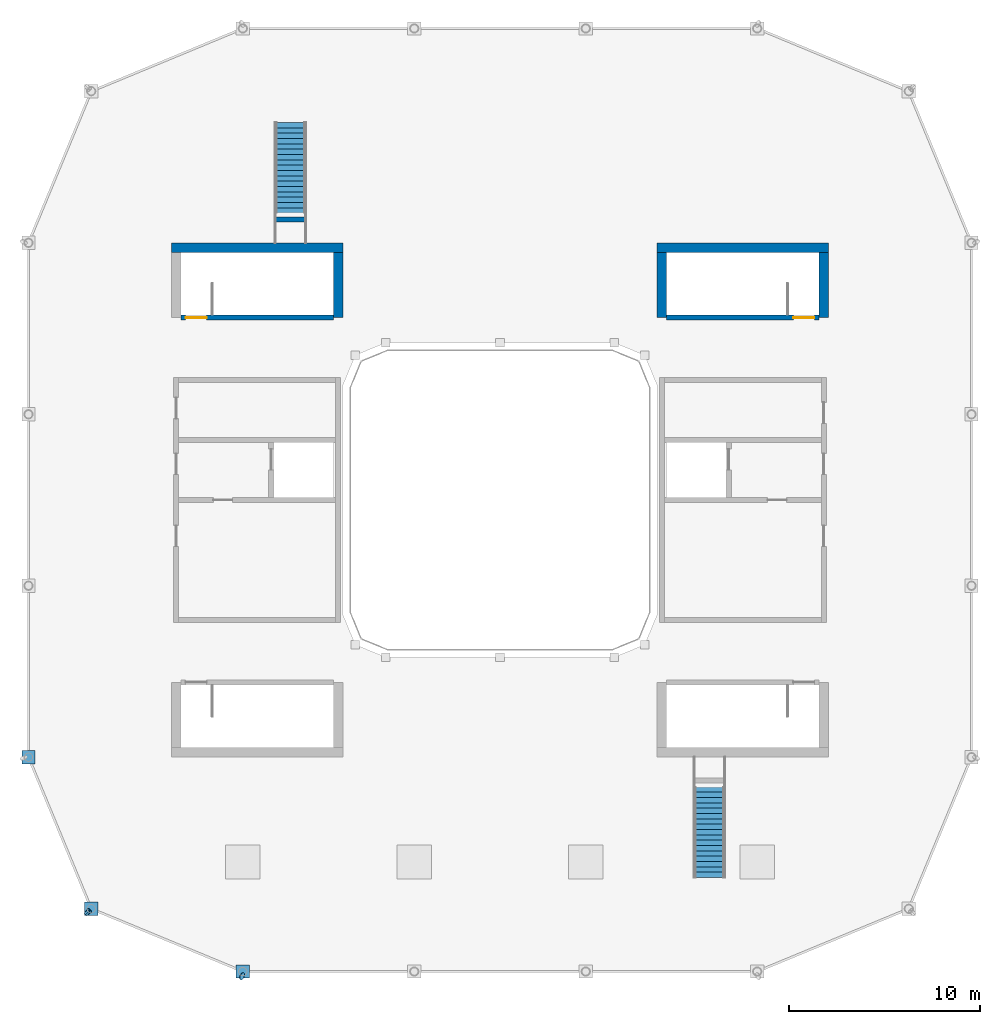
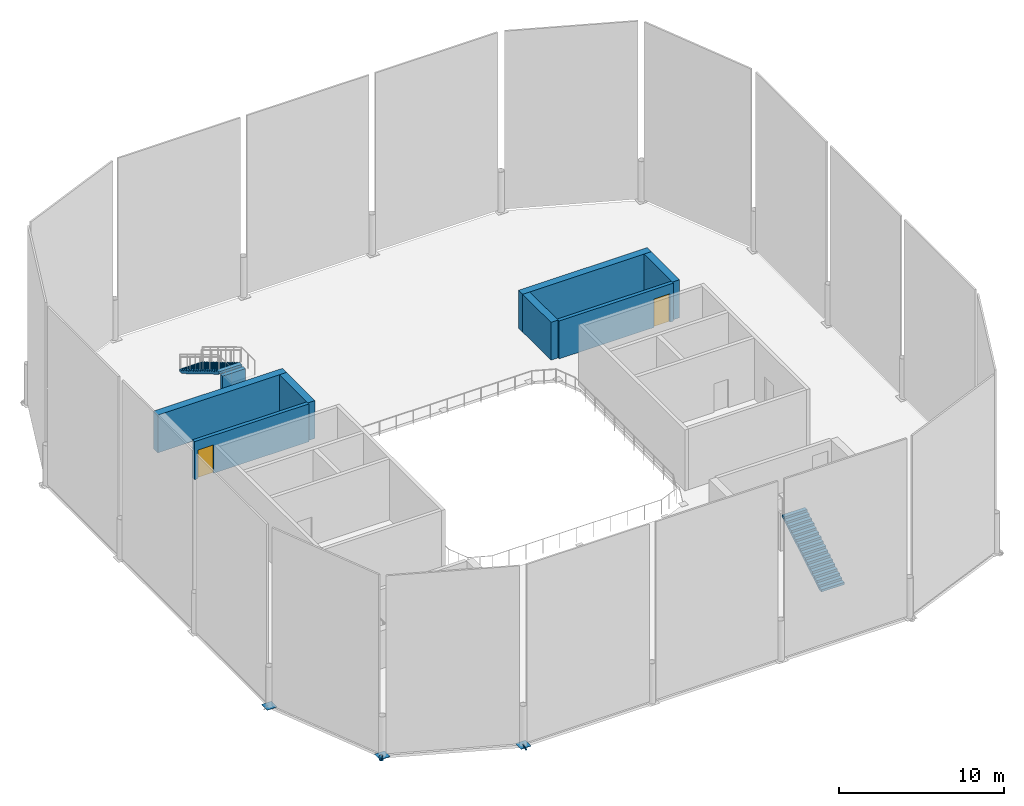
# One storey, part 4 of 8: 8 walls, 6 discrete accessories, 2 doors, 2 stair flights, 2 openings, 2 elements without a shape of their own.
"""IFC4 building model written with IfcOpenShell, lengths in metres."""

from ifc_helpers import new_model, si_unit, direction, frame, frame_2d, origin, origin_2d, place, context, subcontext, project, spatial, polyline, rectangle, circle, outline, extrude, material, layer, layer_set, type_object, element, fill, aggregate, save


model = new_model("IFC4")

# Units and contexts
model_context = context("Model", 3, precision=1e-05, world=origin(), true_north=direction((0.0, 1.0)))
body_context = subcontext(model_context, "Body", "Model", "MODEL_VIEW")
ifc_project = project(units=[si_unit("LENGTHUNIT", "METRE"), si_unit("AREAUNIT", "SQUARE_METRE"), si_unit("VOLUMEUNIT", "CUBIC_METRE"), si_unit("PLANEANGLEUNIT", "RADIAN"), si_unit("MASSUNIT", "GRAM", prefix="KILO")], contexts=[model_context])

# Site, building, storey
site_placement = place(None, origin())
site = spatial("IfcSite", under=ifc_project, at=site_placement, CompositionType="ELEMENT")
building_placement = place(site_placement, origin())
building = spatial("IfcBuilding", under=site, at=building_placement, Name="Siwar Civic Tower", CompositionType="ELEMENT")
storey_placement = place(building_placement, frame((0.0, 0.0, 358.199951171875)))
storey = spatial("IfcBuildingStorey", under=building, at=storey_placement, Name="ROOF", CompositionType="ELEMENT", Elevation=358.199951171875)

# Wall, opening, door
ifc_material_1 = material(Name="Concrete C60/75", Category="concrete")
ifc_layer_1 = layer(ifc_material_1, 0.25)
ifc_layer_set_1 = layer_set([ifc_layer_1], Name="Concrete C60/75")
wall_type_1 = type_object("IfcWallType", Name="CORE-WALL-RC250-EXT", PredefinedType="SHEAR", material=ifc_layer_set_1)
wall_1_placement = place(storey_placement, frame((-8.75, 9.574951171875, 0.0), z_axis=(0.0, 0.0, 1.0), x_axis=(-1.0, 0.0, 0.0)))
wall_1 = element("IfcWall", 1, at=wall_1_placement, inside=storey, type_object=wall_type_1, Name="Stair head-house wall ST1", PredefinedType="SHEAR", context=body_context, shape_type="SweptSolid", body=[
    extrude(rectangle(XDim=8.0, YDim=0.25, at=frame_2d((4.0, 0.0))), origin(), (0.0, 0.0, 1.0), 2.800048828125),
])
opening_1_placement = place(wall_1_placement, frame((6.64990234375, 0.0, 0.0)))
opening_1 = element("IfcOpeningElement", 2, at=opening_1_placement, cuts=wall_1, Name="Opening L76-HST1", PredefinedType="OPENING", context=body_context, shape_type="SweptSolid", body=[
    extrude(rectangle(XDim=1.10009765625, YDim=2.10009765625, at=frame_2d((0.550048828125, 1.050048828125))), frame((0.0, 0.135009765625, 0.0), z_axis=(0.0, -1.0, 0.0), x_axis=(1.0, 0.0, 0.0)), (0.0, 0.0, 1.0), 0.27001953125),
])
ifc_material_2 = material(Name="Steel door leaf", Category="steel")
door_type = type_object("IfcDoorType", Name="CORE-DOOR-FD60S-EXT", OperationType="SINGLE_SWING_LEFT", PredefinedType="DOOR", material=ifc_material_2)
door_1_placement = place(opening_1_placement, origin())
door_1 = element("IfcDoor", 3, at=door_1_placement, inside=storey, type_object=door_type, Name="Roof stair door ST1", OperationType="SINGLE_SWING_RIGHT", OverallHeight=2.10009765625, OverallWidth=1.10009765625, PredefinedType="DOOR", context=body_context, shape_type="SweptSolid", body=[
    extrude(rectangle(XDim=1.10009765625, YDim=2.10009765625, at=frame_2d((0.550048828125, 1.050048828125))), frame((0.0, 0.02490234375, 0.0), z_axis=(0.0, -1.0, 0.0), x_axis=(1.0, 0.0, 0.0)), (0.0, 0.0, 1.0), 0.050048828125),
])
fill(opening_1, door_1)

wall_2_placement = place(storey_placement, frame((8.75, 9.574951171875, 0.0), z_axis=(0.0, 0.0, 1.0), x_axis=(1.0, 0.0, 0.0)))
wall_2 = element("IfcWall", 4, at=wall_2_placement, inside=storey, type_object=wall_type_1, Name="Stair head-house wall ST3", PredefinedType="SHEAR", context=body_context, shape_type="SweptSolid", body=[
    extrude(rectangle(XDim=8.0, YDim=0.25, at=frame_2d((4.0, 0.0))), origin(), (0.0, 0.0, 1.0), 2.800048828125),
])
opening_2_placement = place(wall_2_placement, frame((6.64990234375, 0.0, 0.0)))
opening_2 = element("IfcOpeningElement", 5, at=opening_2_placement, cuts=wall_2, Name="Opening L76-HST3", PredefinedType="OPENING", context=body_context, shape_type="SweptSolid", body=[
    extrude(rectangle(XDim=1.10009765625, YDim=2.10009765625, at=frame_2d((0.550048828125, 1.050048828125))), frame((0.0, 0.135009765625, 0.0), z_axis=(0.0, -1.0, 0.0), x_axis=(1.0, 0.0, 0.0)), (0.0, 0.0, 1.0), 0.27001953125),
])
door_2_placement = place(opening_2_placement, origin())
door_2 = element("IfcDoor", 6, at=door_2_placement, inside=storey, type_object=door_type, Name="Roof stair door ST3", OperationType="SINGLE_SWING_LEFT", OverallHeight=2.10009765625, OverallWidth=1.10009765625, PredefinedType="DOOR", context=body_context, shape_type="SweptSolid", body=[
    extrude(rectangle(XDim=1.10009765625, YDim=2.10009765625, at=frame_2d((0.550048828125, 1.050048828125))), frame((0.0, 0.02490234375, 0.0), z_axis=(0.0, -1.0, 0.0), x_axis=(1.0, 0.0, 0.0)), (0.0, 0.0, 1.0), 0.050048828125),
])
fill(opening_2, door_2)

# Walls
wall_3_placement = place(storey_placement, frame((-10.199951171875, 14.72509765625, 0.0), z_axis=(0.0, 0.0, 1.0), x_axis=(-1.0, 0.0, 0.0)))
element("IfcWall", 7, at=wall_3_placement, inside=storey, type_object=wall_type_1, Name="Stair landing support wall RS1", PredefinedType="SHEAR", context=body_context, shape_type="SweptSolid", body=[
    extrude(rectangle(XDim=1.60009765625, YDim=0.25, at=frame_2d((0.800048828125, 0.0))), origin(), (0.0, 0.0, 1.0), 2.800048828125),
])
ifc_material_3 = material(Name="Concrete C60/75", Category="concrete")
ifc_layer_2 = layer(ifc_material_3, 0.5)
ifc_layer_set_2 = layer_set([ifc_layer_2], Name="Concrete C60/75")
wall_type_2 = type_object("IfcWallType", Name="CORE-WALL-RC500-EXT", PredefinedType="SHEAR", material=ifc_layer_set_2)
wall_4_placement = place(storey_placement, frame((-8.5, 9.574951171875, 0.0), z_axis=(0.0, 0.0, 1.0), x_axis=(0.0, 1.0, 0.0)))
element("IfcWall", 8, at=wall_4_placement, inside=storey, type_object=wall_type_2, Name="Stair head-house wall ST1", PredefinedType="SHEAR", context=body_context, shape_type="SweptSolid", body=[
    extrude(rectangle(XDim=3.425048828125, YDim=0.5, at=frame_2d((1.71240234375, 0.0))), origin(), (0.0, 0.0, 1.0), 2.800048828125),
])
wall_5_placement = place(storey_placement, frame((-8.25, 13.25, 0.0), z_axis=(0.0, 0.0, 1.0), x_axis=(-1.0, 0.0, 0.0)))
element("IfcWall", 9, at=wall_5_placement, inside=storey, type_object=wall_type_2, Name="Stair head-house wall ST1", PredefinedType="SHEAR", context=body_context, shape_type="SweptSolid", body=[
    extrude(rectangle(XDim=9.0, YDim=0.5, at=frame_2d((4.5, 0.0))), origin(), (0.0, 0.0, 1.0), 2.800048828125),
])
wall_6_placement = place(storey_placement, frame((8.5, 9.574951171875, 0.0), z_axis=(0.0, 0.0, 1.0), x_axis=(0.0, 1.0, 0.0)))
element("IfcWall", 10, at=wall_6_placement, inside=storey, type_object=wall_type_2, Name="Stair head-house wall ST3", PredefinedType="SHEAR", context=body_context, shape_type="SweptSolid", body=[
    extrude(rectangle(XDim=3.425048828125, YDim=0.5, at=frame_2d((1.71240234375, 0.0))), origin(), (0.0, 0.0, 1.0), 2.800048828125),
])
wall_7_placement = place(storey_placement, frame((8.25, 13.25, 0.0), z_axis=(0.0, 0.0, 1.0), x_axis=(1.0, 0.0, 0.0)))
element("IfcWall", 11, at=wall_7_placement, inside=storey, type_object=wall_type_2, Name="Stair head-house wall ST3", PredefinedType="SHEAR", context=body_context, shape_type="SweptSolid", body=[
    extrude(rectangle(XDim=9.0, YDim=0.5, at=frame_2d((4.5, 0.0))), origin(), (0.0, 0.0, 1.0), 2.800048828125),
])
wall_8_placement = place(storey_placement, frame((17.0, 9.574951171875, 0.0), z_axis=(0.0, 0.0, 1.0), x_axis=(0.0, 1.0, 0.0)))
element("IfcWall", 12, at=wall_8_placement, inside=storey, type_object=wall_type_2, Name="Stair head-house wall ST3", PredefinedType="SHEAR", context=body_context, shape_type="SweptSolid", body=[
    extrude(rectangle(XDim=3.425048828125, YDim=0.5, at=frame_2d((1.71240234375, 0.0))), origin(), (0.0, 0.0, 1.0), 2.800048828125),
])

# Stair, stair flight
ifc_material_4 = material(Name="Concrete C40/50", Category="concrete")
stair_type = type_object("IfcStairType", Name="CORE-ROOF-STAIR", PredefinedType="STRAIGHT_RUN_STAIR", material=ifc_material_4)
stair_1_placement = place(storey_placement, origin())
stair_1 = element("IfcStair", 13, at=stair_1_placement, inside=storey, type_object=stair_type, Name="Stair RS1", PredefinedType="STRAIGHT_RUN_STAIR")
ifc_material_5 = material(Name="Concrete C40/50", Category="concrete")
stair_flight_type = type_object("IfcStairFlightType", Name="CORE-ROOF-STAIR-FLIGHT", PredefinedType="STRAIGHT", material=ifc_material_5)
stair_flight_1_placement = place(storey_placement, frame((-11.0, 19.81005859375, 0.0), z_axis=(0.0, 0.0, 1.0), x_axis=(0.0, -1.0, 0.0)))
stair_flight_1 = element("IfcStairFlight", 14, at=stair_flight_1_placement, type_object=stair_flight_type, Name="RS1 flight 1", NumberOfRisers=18, NumberOfTreads=17, PredefinedType="STRAIGHT", RiserHeight=0.166666667, TreadLength=0.28, context=body_context, shape_type="SweptSolid", body=[
    extrude(outline(polyline([(0.0, 0.0), (0.0, 0.166748046875), (0.280029296875, 0.166748046875), (0.280029296875, 0.333251953125), (0.56005859375, 0.333251953125), (0.56005859375, 0.5), (0.840087890625, 0.5), (0.840087890625, 0.666748046875), (1.1201171875, 0.666748046875), (1.1201171875, 0.833251953125), (1.39990234375, 0.833251953125), (1.39990234375, 1.0), (1.679931640625, 1.0), (1.679931640625, 1.166748046875), (1.9599609375, 1.166748046875), (1.9599609375, 1.333251953125), (2.239990234375, 1.333251953125), (2.239990234375, 1.5), (2.52001953125, 1.5), (2.52001953125, 1.666748046875), (2.800048828125, 1.666748046875), (2.800048828125, 1.833251953125), (3.080078125, 1.833251953125), (3.080078125, 2.0), (3.360107421875, 2.0), (3.360107421875, 2.166748046875), (3.639892578125, 2.166748046875), (3.639892578125, 2.333251953125), (3.919921875, 2.333251953125), (3.919921875, 2.5), (4.199951171875, 2.5), (4.199951171875, 2.666748046875), (4.47998046875, 2.666748046875), (4.47998046875, 2.833251953125), (4.760009765625, 2.833251953125), (4.760009765625, 3.0), (4.760009765625, 2.658935546875), (0.29296875, 0.0), (0.0, 0.0)])), frame((0.0, 0.800048828125, 0.0), z_axis=(0.0, -1.0, 0.0), x_axis=(1.0, 0.0, 0.0)), (0.0, 0.0, 1.0), 1.60009765625),
])
aggregate(stair_1, [stair_flight_1])

stair_2_placement = place(storey_placement, origin())
stair_2 = element("IfcStair", 15, at=stair_2_placement, inside=storey, type_object=stair_type, Name="Stair RS2", PredefinedType="STRAIGHT_RUN_STAIR")
stair_flight_2_placement = place(storey_placement, frame((11.0, -19.81005859375, 0.0), z_axis=(0.0, 0.0, 1.0), x_axis=(0.0, 1.0, 0.0)))
stair_flight_2 = element("IfcStairFlight", 16, at=stair_flight_2_placement, type_object=stair_flight_type, Name="RS2 flight 1", NumberOfRisers=18, NumberOfTreads=17, PredefinedType="STRAIGHT", RiserHeight=0.166666667, TreadLength=0.28, context=body_context, shape_type="SweptSolid", body=[
    extrude(outline(polyline([(0.0, 0.0), (0.0, 0.166748046875), (0.280029296875, 0.166748046875), (0.280029296875, 0.333251953125), (0.56005859375, 0.333251953125), (0.56005859375, 0.5), (0.840087890625, 0.5), (0.840087890625, 0.666748046875), (1.1201171875, 0.666748046875), (1.1201171875, 0.833251953125), (1.39990234375, 0.833251953125), (1.39990234375, 1.0), (1.679931640625, 1.0), (1.679931640625, 1.166748046875), (1.9599609375, 1.166748046875), (1.9599609375, 1.333251953125), (2.239990234375, 1.333251953125), (2.239990234375, 1.5), (2.52001953125, 1.5), (2.52001953125, 1.666748046875), (2.800048828125, 1.666748046875), (2.800048828125, 1.833251953125), (3.080078125, 1.833251953125), (3.080078125, 2.0), (3.360107421875, 2.0), (3.360107421875, 2.166748046875), (3.639892578125, 2.166748046875), (3.639892578125, 2.333251953125), (3.919921875, 2.333251953125), (3.919921875, 2.5), (4.199951171875, 2.5), (4.199951171875, 2.666748046875), (4.47998046875, 2.666748046875), (4.47998046875, 2.833251953125), (4.760009765625, 2.833251953125), (4.760009765625, 3.0), (4.760009765625, 2.658935546875), (0.29296875, 0.0), (0.0, 0.0)])), frame((0.0, 0.800048828125, 0.0), z_axis=(0.0, -1.0, 0.0), x_axis=(1.0, 0.0, 0.0)), (0.0, 0.0, 1.0), 1.60009765625),
])
aggregate(stair_2, [stair_flight_2])

# Discrete accessories
ifc_material_6 = material(Name="Steel S355", Category="steel")
ifc_layer_3 = layer(ifc_material_6, 0.02001953125)
ifc_layer_set_3 = layer_set([ifc_layer_3], Name="Steel S355")
discrete_accessory_type = type_object("IfcDiscreteAccessoryType", Name="STR-END-CAP", PredefinedType="USERDEFINED", material=ifc_layer_set_3)
for number, where, z_axis, x_axis, name in (
    (17, (-13.5, -24.75, 0.0), (0.0, 0.0, 1.0), (1.0, 0.0, 0.0), "End cap plate L76 col S-0"),
    (18, (-24.75, -13.5, 0.0), (0.0, 0.0, 1.0), (1.0, 0.0, 0.0), "End cap plate L76 col SW1-0"),
    (19, (-21.454833984375, -21.454833984375, 0.0), (0.0, 0.0, 1.0), (1.0, 0.0, 0.0), "End cap plate L76 col SW2-0"),
):
    element("IfcDiscreteAccessory", number, at=place(storey_placement, frame(where, z_axis=z_axis, x_axis=x_axis)), inside=storey, type_object=discrete_accessory_type, Name=name, ObjectType="END CAP PLATE", PredefinedType="USERDEFINED", context=body_context, shape_type="SweptSolid", body=[
        extrude(rectangle(XDim=0.699951171875, YDim=0.699951171875, at=origin_2d()), origin(), (0.0, 0.0, 1.0), 0.02001953125),
    ])
discrete_accessory_1_placement = place(storey_placement, frame((-21.6318359375, -21.6318359375, 0.0), z_axis=(-0.794694665491, 0.34233000975, 0.501268942848), x_axis=(-0.395623896042, -0.918412615811, 0.0)))
element("IfcDiscreteAccessory", 20, at=discrete_accessory_1_placement, inside=storey, type_object=discrete_accessory_type, Name="End cap plate L76 brc DSW1-15-0-1", ObjectType="END CAP PLATE", PredefinedType="USERDEFINED", context=body_context, shape_type="SweptSolid", body=[
    extrude(circle(Radius=0.203125, at=origin_2d()), origin(), (0.0, 0.0, 1.0), 0.02001953125),
])
discrete_accessory_2_placement = place(storey_placement, frame((-13.548828125, -24.9951171875, 0.0), z_axis=(0.799134556069, -0.339026781363, 0.49643207271), x_axis=(0.390549846856, 0.920581781875, 0.0)))
element("IfcDiscreteAccessory", 21, at=discrete_accessory_2_placement, inside=storey, type_object=discrete_accessory_type, Name="End cap plate L76 brc DSW1-15-0-3", ObjectType="END CAP PLATE", PredefinedType="USERDEFINED", context=body_context, shape_type="SweptSolid", body=[
    extrude(circle(Radius=0.203125, at=origin_2d()), origin(), (0.0, 0.0, 1.0), 0.020263671875),
])
discrete_accessory_3_placement = place(storey_placement, frame((-21.6318359375, -21.6318359375, 0.0), z_axis=(0.34233000975, -0.794694665491, 0.501268942848), x_axis=(0.918412615811, 0.395623896042, 0.0)))
element("IfcDiscreteAccessory", 22, at=discrete_accessory_3_placement, inside=storey, type_object=discrete_accessory_type, Name="End cap plate L76 brc DSW1-15-0-0", ObjectType="END CAP PLATE", PredefinedType="USERDEFINED", context=body_context, shape_type="SweptSolid", body=[
    extrude(circle(Radius=0.203125, at=origin_2d()), origin(), (0.0, 0.0, 1.0), 0.02001953125),
])

save(model, "model.ifc")
